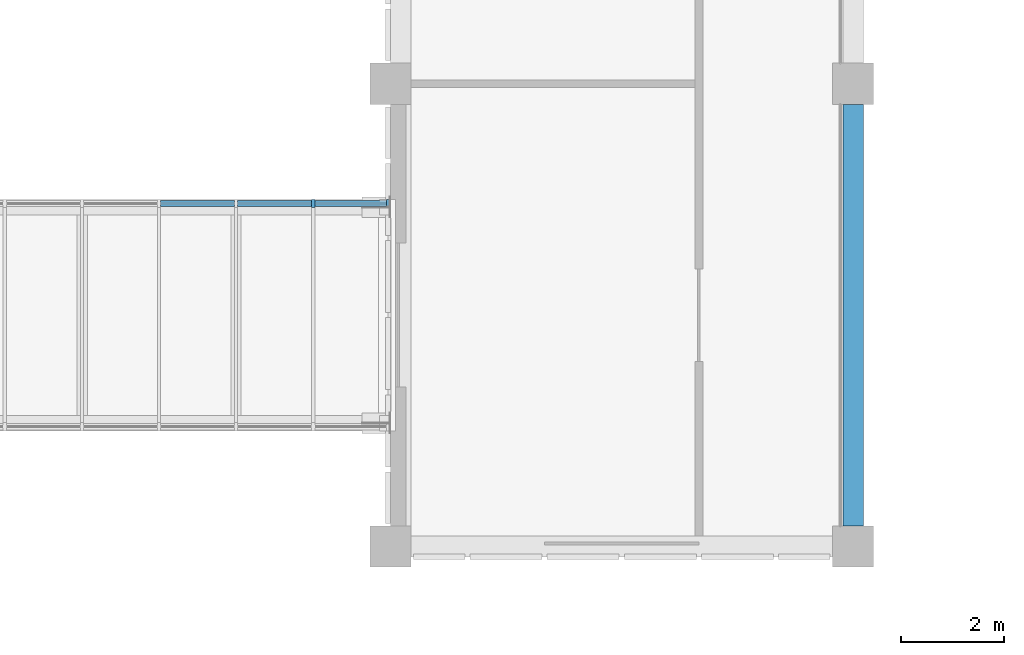
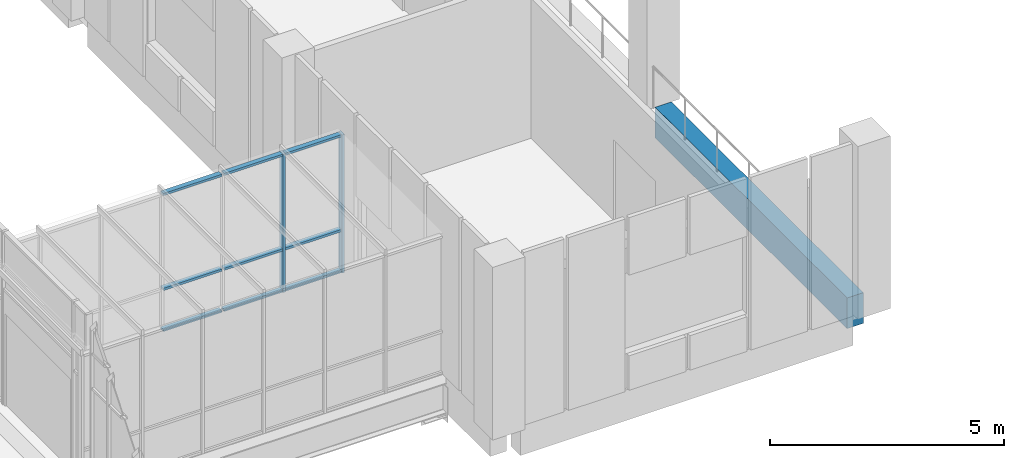
# One storey, part 11 of 88: 11 members, 1 beam, 1 element without a shape of its own.
"""IFC4 building model written with IfcOpenShell, lengths in metres."""

from ifc_helpers import new_model, si_unit, direction, frame, origin, origin_2d, place, context, subcontext, project, spatial, rectangle, extrude, material, layer, layer_set, material_profile, profile_set, type_object, element, aggregate, save


model = new_model("IFC4")

# Units and contexts
model_context = context("Model", 3, precision=1e-05, world=origin(), true_north=direction((0.0, 1.0)))
body_context = subcontext(model_context, "Body", "Model", "MODEL_VIEW")
ifc_project = project(units=[si_unit("LENGTHUNIT", "METRE"), si_unit("AREAUNIT", "SQUARE_METRE"), si_unit("VOLUMEUNIT", "CUBIC_METRE"), si_unit("PLANEANGLEUNIT", "RADIAN"), si_unit("MASSUNIT", "GRAM", prefix="KILO")], contexts=[model_context])

# Site, building, storey
site_placement = place(None, origin())
site = spatial("IfcSite", under=ifc_project, at=site_placement, CompositionType="ELEMENT")
building_placement = place(site_placement, origin())
building = spatial("IfcBuilding", under=site, at=building_placement, Name="Guidao Yard Department Store", CompositionType="ELEMENT")
storey_placement = place(building_placement, frame((0.0, 0.0, 6.0)))
storey = spatial("IfcBuildingStorey", under=building, at=storey_placement, Name="L01", CompositionType="ELEMENT", Elevation=6.0)

# Curtain wall, members
ifc_material_1 = material(Name="Aluminium and glass", Category="aluminium")
ifc_layer = layer(ifc_material_1, 0.159912109375)
ifc_layer_set = layer_set([ifc_layer], Name="Bridge glazing CW5 1500 module")
curtain_wall_type = type_object("IfcCurtainWallType", Name="Bridge glazing CW5 1500 module", PredefinedType="NOTDEFINED", material=ifc_layer_set)
curtain_wall_placement = place(storey_placement, origin())
curtain_wall = element("IfcCurtainWall", 1, at=curtain_wall_placement, inside=storey, type_object=curtain_wall_type, Name="Bridge glazing BR06 N", PredefinedType="NOTDEFINED")
ifc_material_2 = material(Name="Aluminium 6063-T5", Category="aluminium")
ifc_material_profile_1 = material_profile(ifc_material_2, rectangle(XDim=0.06005859375, YDim=0.159912109375, at=origin_2d()), Name="Mullion M1 60 x 160 aluminium pressure plate")
ifc_profile_set_1 = profile_set([ifc_material_profile_1], Name="Aluminium 6063-T5")
member_type_1 = type_object("IfcMemberType", Name="Mullion M1 60 x 160 aluminium pressure plate", PredefinedType="MULLION", material=ifc_profile_set_1)
member_1_placement = place(storey_placement, frame((115.5, 60.669921875, 0.0), z_axis=(0.0, 0.0, 1.0), x_axis=(1.0, 0.0, 0.0)))
member_1 = element("IfcMember", 2, at=member_1_placement, type_object=member_type_1, Name="CW-N-L01-06 mullion 6", PredefinedType="MULLION", context=body_context, shape_type="SweptSolid", body=[
    extrude(rectangle(XDim=0.06005859375, YDim=0.159912109375, at=origin_2d()), origin(), (0.0, 0.0, 1.0), 3.60009765625),
])
member_2_placement = place(storey_placement, frame((116.955078125, 60.669921875, 0.0), z_axis=(0.0, 0.0, 1.0), x_axis=(1.0, 0.0, 0.0)))
member_2 = element("IfcMember", 3, at=member_2_placement, type_object=member_type_1, Name="CW-N-L01-06 mullion 7", PredefinedType="MULLION", context=body_context, shape_type="SweptSolid", body=[
    extrude(rectangle(XDim=0.06005859375, YDim=0.159912109375, at=origin_2d()), origin(), (0.0, 0.0, 1.0), 3.60009765625),
])

# Beam
ifc_material_3 = material(Name="Concrete C40", Category="concrete")
ifc_material_profile_2 = material_profile(ifc_material_3, rectangle(XDim=0.39990234375, YDim=0.800048828125, at=origin_2d()), Name="Spandrel beam 400 x 800 C40")
ifc_profile_set_2 = profile_set([ifc_material_profile_2], Name="Concrete C40")
beam_type = type_object("IfcBeamType", Name="Spandrel beam 400 x 800 C40", PredefinedType="SPANDREL", material=ifc_profile_set_2)
beam_placement = place(storey_placement, frame((126.0, 54.39990234375, -0.39990234375), z_axis=(0.0, 1.0, 0.0), x_axis=(-1.0, 0.0, 0.0)))
element("IfcBeam", 4, at=beam_placement, inside=storey, type_object=beam_type, Name="Beam EB67", PredefinedType="SPANDREL", context=body_context, shape_type="SweptSolid", body=[
    extrude(rectangle(XDim=0.39990234375, YDim=0.800048828125, at=origin_2d()), origin(), (0.0, 0.0, 1.0), 8.2001953125),
])

# Member
ifc_material_4 = material(Name="Aluminium 6063-T5", Category="aluminium")
ifc_material_profile_3 = material_profile(ifc_material_4, rectangle(XDim=0.1201171875, YDim=0.06005859375, at=origin_2d()), Name="Transom T1 60 x 120 aluminium pressure plate")
ifc_profile_set_3 = profile_set([ifc_material_profile_3], Name="Aluminium 6063-T5")
member_type_2 = type_object("IfcMemberType", Name="Transom T1 60 x 120 aluminium pressure plate", PredefinedType="USERDEFINED", material=ifc_profile_set_3)
member_3_placement = place(storey_placement, frame((112.530029296875, 60.669921875, 0.030029296875), z_axis=(1.0, 0.0, 0.0), x_axis=(0.0, 1.0, 0.0)))
member_3 = element("IfcMember", 5, at=member_3_placement, type_object=member_type_2, Name="CW-N-L01-06 transom 4.1", ObjectType="TRANSOM", PredefinedType="USERDEFINED", context=body_context, shape_type="SweptSolid", body=[
    extrude(rectangle(XDim=0.1201171875, YDim=0.06005859375, at=origin_2d()), origin(), (0.0, 0.0, 1.0), 1.43994140625),
])

member_4_placement = place(storey_placement, frame((112.530029296875, 60.669921875, 1.10009765625), z_axis=(1.0, 0.0, 0.0), x_axis=(0.0, 1.0, 0.0)))
member_4 = element("IfcMember", 6, at=member_4_placement, type_object=member_type_2, Name="CW-N-L01-06 transom 4.2", ObjectType="TRANSOM", PredefinedType="USERDEFINED", context=body_context, shape_type="SweptSolid", body=[
    extrude(rectangle(XDim=0.1201171875, YDim=0.06005859375, at=origin_2d()), origin(), (0.0, 0.0, 1.0), 1.43994140625),
])

member_5_placement = place(storey_placement, frame((112.530029296875, 60.669921875, 3.570068359375), z_axis=(1.0, 0.0, 0.0), x_axis=(0.0, 1.0, 0.0)))
member_5 = element("IfcMember", 7, at=member_5_placement, type_object=member_type_2, Name="CW-N-L01-06 transom 4.3", ObjectType="TRANSOM", PredefinedType="USERDEFINED", context=body_context, shape_type="SweptSolid", body=[
    extrude(rectangle(XDim=0.1201171875, YDim=0.06005859375, at=origin_2d()), origin(), (0.0, 0.0, 1.0), 1.43994140625),
])

member_6_placement = place(storey_placement, frame((114.030029296875, 60.669921875, 0.030029296875), z_axis=(1.0, 0.0, 0.0), x_axis=(0.0, 1.0, 0.0)))
member_6 = element("IfcMember", 8, at=member_6_placement, type_object=member_type_2, Name="CW-N-L01-06 transom 5.1", ObjectType="TRANSOM", PredefinedType="USERDEFINED", context=body_context, shape_type="SweptSolid", body=[
    extrude(rectangle(XDim=0.1201171875, YDim=0.06005859375, at=origin_2d()), origin(), (0.0, 0.0, 1.0), 1.43994140625),
])

member_7_placement = place(storey_placement, frame((114.030029296875, 60.669921875, 1.10009765625), z_axis=(1.0, 0.0, 0.0), x_axis=(0.0, 1.0, 0.0)))
member_7 = element("IfcMember", 9, at=member_7_placement, type_object=member_type_2, Name="CW-N-L01-06 transom 5.2", ObjectType="TRANSOM", PredefinedType="USERDEFINED", context=body_context, shape_type="SweptSolid", body=[
    extrude(rectangle(XDim=0.1201171875, YDim=0.06005859375, at=origin_2d()), origin(), (0.0, 0.0, 1.0), 1.43994140625),
])

member_8_placement = place(storey_placement, frame((114.030029296875, 60.669921875, 3.570068359375), z_axis=(1.0, 0.0, 0.0), x_axis=(0.0, 1.0, 0.0)))
member_8 = element("IfcMember", 10, at=member_8_placement, type_object=member_type_2, Name="CW-N-L01-06 transom 5.3", ObjectType="TRANSOM", PredefinedType="USERDEFINED", context=body_context, shape_type="SweptSolid", body=[
    extrude(rectangle(XDim=0.1201171875, YDim=0.06005859375, at=origin_2d()), origin(), (0.0, 0.0, 1.0), 1.43994140625),
])

member_9_placement = place(storey_placement, frame((115.530029296875, 60.669921875, 0.030029296875), z_axis=(1.0, 0.0, 0.0), x_axis=(0.0, 1.0, 0.0)))
member_9 = element("IfcMember", 11, at=member_9_placement, type_object=member_type_2, Name="CW-N-L01-06 transom 6.1", ObjectType="TRANSOM", PredefinedType="USERDEFINED", context=body_context, shape_type="SweptSolid", body=[
    extrude(rectangle(XDim=0.1201171875, YDim=0.06005859375, at=origin_2d()), origin(), (0.0, 0.0, 1.0), 1.39501953125),
])

member_10_placement = place(storey_placement, frame((115.530029296875, 60.669921875, 1.10009765625), z_axis=(1.0, 0.0, 0.0), x_axis=(0.0, 1.0, 0.0)))
member_10 = element("IfcMember", 12, at=member_10_placement, type_object=member_type_2, Name="CW-N-L01-06 transom 6.2", ObjectType="TRANSOM", PredefinedType="USERDEFINED", context=body_context, shape_type="SweptSolid", body=[
    extrude(rectangle(XDim=0.1201171875, YDim=0.06005859375, at=origin_2d()), origin(), (0.0, 0.0, 1.0), 1.39501953125),
])

member_11_placement = place(storey_placement, frame((115.530029296875, 60.669921875, 3.570068359375), z_axis=(1.0, 0.0, 0.0), x_axis=(0.0, 1.0, 0.0)))
member_11 = element("IfcMember", 13, at=member_11_placement, type_object=member_type_2, Name="CW-N-L01-06 transom 6.3", ObjectType="TRANSOM", PredefinedType="USERDEFINED", context=body_context, shape_type="SweptSolid", body=[
    extrude(rectangle(XDim=0.1201171875, YDim=0.06005859375, at=origin_2d()), origin(), (0.0, 0.0, 1.0), 1.39501953125),
])

aggregate(curtain_wall, [member_1, member_2, member_3, member_4, member_5, member_6, member_7, member_8, member_9, member_10, member_11])

save(model, "model.ifc")
